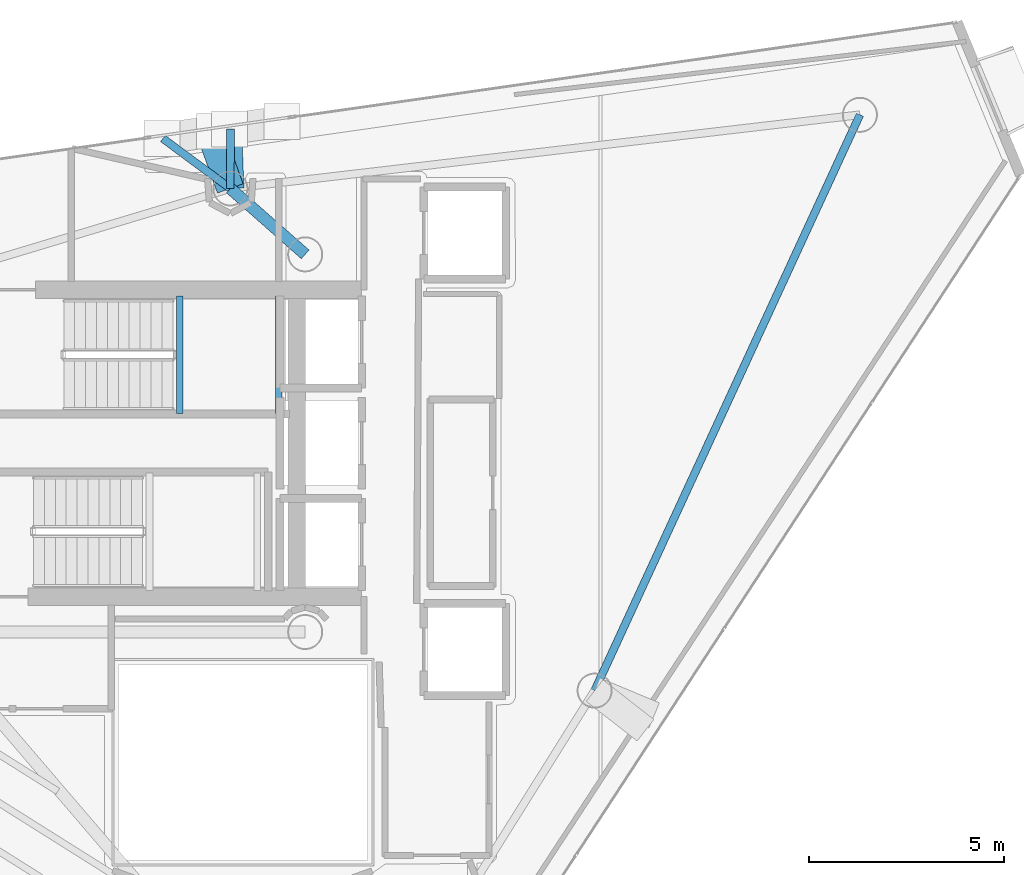
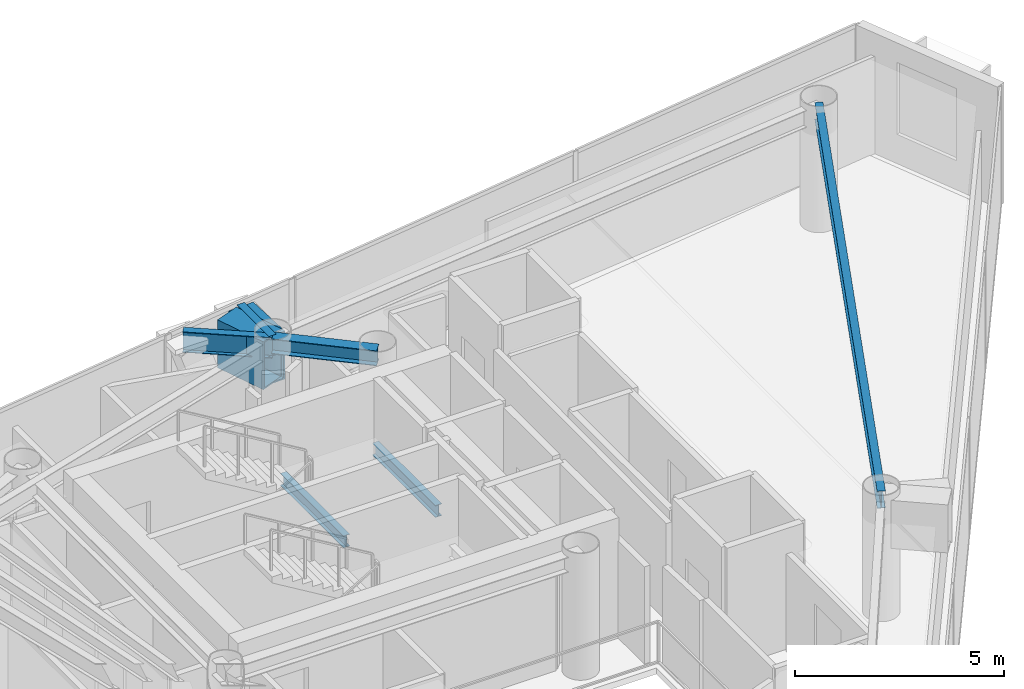
# One storey, part 15 of 25: 8 beams.
"""IFC4 building model written with IfcOpenShell, lengths in metres."""

from ifc_helpers import new_model, si_unit, direction, frame, origin, origin_2d, place, context, subcontext, project, spatial, hollow_rectangle, i_section, extrude, material, material_profile, profile_set, type_object, element, save


model = new_model("IFC4")

# Units and contexts
model_context = context("Model", 3, precision=1e-05, world=origin(), true_north=direction((0.0, 1.0)))
body_context = subcontext(model_context, "Body", "Model", "MODEL_VIEW")
ifc_project = project(units=[si_unit("LENGTHUNIT", "METRE"), si_unit("AREAUNIT", "SQUARE_METRE"), si_unit("VOLUMEUNIT", "CUBIC_METRE"), si_unit("PLANEANGLEUNIT", "RADIAN"), si_unit("MASSUNIT", "GRAM", prefix="KILO")], contexts=[model_context])

# Site, building, storey
site_placement = place(None, origin())
site = spatial("IfcSite", under=ifc_project, at=site_placement, CompositionType="ELEMENT")
building_placement = place(site_placement, origin())
building = spatial("IfcBuilding", under=site, at=building_placement, Name="Qianvela Tower", CompositionType="ELEMENT")
storey_placement = place(building_placement, frame((0.0, 0.0, 295.39990234375)))
storey = spatial("IfcBuildingStorey", under=building, at=storey_placement, Name="L76", CompositionType="ELEMENT", Elevation=295.39990234375)

# Beams
ifc_material_1 = material(Name="Steel Q355B", Category="steel")
ifc_material_profile_1 = material_profile(ifc_material_1, i_section(OverallWidth=0.300048828125, OverallDepth=0.43994140625, WebThickness=0.010986328125, FlangeThickness=0.01806640625, at=origin_2d()), Name="HM440x300x11x18")
ifc_profile_set_1 = profile_set([ifc_material_profile_1], Name="Steel Q355B")
beam_type_1 = type_object("IfcBeamType", Name="BM-HM440-COLL", PredefinedType="BEAM", material=ifc_profile_set_1)
beam_1_placement = place(storey_placement, frame((38.39990234375, 33.550048828125, 3.298095703125), z_axis=(-0.750732416106, 0.660606417928, 0.0), x_axis=(-0.660606417928, -0.750732416106, 0.0)))
element("IfcBeam", 1, at=beam_1_placement, inside=storey, type_object=beam_type_1, Name="L76 Radial Primary Floor Girder 2", PredefinedType="BEAM", context=body_context, shape_type="SweptSolid", body=[
    extrude(i_section(OverallWidth=0.300048828125, OverallDepth=0.43994140625, WebThickness=0.010986328125, FlangeThickness=0.01806640625, at=origin_2d()), origin(), (0.0, 0.0, 1.0), 2.5625),
])
ifc_material_2 = material(Name="Steel Q355B", Category="steel")
ifc_material_profile_2 = material_profile(ifc_material_2, i_section(OverallWidth=0.175048828125, OverallDepth=0.35009765625, WebThickness=0.007080078125, FlangeThickness=0.010986328125, at=origin_2d()), Name="HN350x175x7x11")
ifc_profile_set_2 = profile_set([ifc_material_profile_2], Name="Steel Q355B")
beam_type_2 = type_object("IfcBeamType", Name="BM-HN350-JOIST", PredefinedType="JOIST", material=ifc_profile_set_2)
for number, where, z_axis, x_axis, name in (
    (2, (35.179931640625, 29.4599609375, 1.47509765625), (0.0, 1.0, 0.0), (-1.0, 0.0, 0.0), "L76 Stair ST-1 Landing Support Beam 1.1"),
    (3, (37.719970703125, 29.4599609375, 1.47509765625), (0.0, 1.0, 0.0), (-1.0, 0.0, 0.0), "L76 Stair ST-1 Landing Support Beam 1.2"),
):
    element("IfcBeam", number, at=place(storey_placement, frame(where, z_axis=z_axis, x_axis=x_axis)), inside=storey, type_object=beam_type_2, Name=name, PredefinedType="JOIST", context=body_context, shape_type="SweptSolid", body=[
        extrude(i_section(OverallWidth=0.175048828125, OverallDepth=0.35009765625, WebThickness=0.007080078125, FlangeThickness=0.010986328125, at=origin_2d()), origin(), (0.0, 0.0, 1.0), 3.02001953125),
    ])
ifc_material_3 = material(Name="Steel Q355B", Category="steel")
ifc_material_profile_3 = material_profile(ifc_material_3, i_section(OverallWidth=0.199951171875, OverallDepth=0.5, WebThickness=0.010009765625, FlangeThickness=0.01611328125, at=origin_2d()), Name="HN500x200x10x16")
ifc_profile_set_3 = profile_set([ifc_material_profile_3], Name="Steel Q355B")
beam_type_3 = type_object("IfcBeamType", Name="BM-HN500-GIRD", PredefinedType="BEAM", material=ifc_profile_set_3)
beam_2_placement = place(storey_placement, frame((45.833984375, 22.344970703125, 3.26806640625), z_axis=(0.418440097712, 0.908244396969, 0.0), x_axis=(-0.908244396969, 0.418440097712, 0.0)))
element("IfcBeam", 4, at=beam_2_placement, inside=storey, type_object=beam_type_3, Name="L76 Perimeter Ring Spandrel Girder 6", PredefinedType="BEAM", context=body_context, shape_type="SweptSolid", body=[
    extrude(i_section(OverallWidth=0.199951171875, OverallDepth=0.5, WebThickness=0.010009765625, FlangeThickness=0.01611328125, at=origin_2d()), origin(), (0.0, 0.0, 1.0), 16.2841796875),
])
ifc_material_4 = material(Name="Steel Q355B", Category="steel")
ifc_material_profile_4 = material_profile(ifc_material_4, i_section(OverallWidth=0.199951171875, OverallDepth=0.60009765625, WebThickness=0.010986328125, FlangeThickness=0.01708984375, at=origin_2d()), Name="HN600x200x11x17")
ifc_profile_set_4 = profile_set([ifc_material_profile_4], Name="Steel Q355B")
beam_type_4 = type_object("IfcBeamType", Name="BM-HN600-GIRD", PredefinedType="BEAM", material=ifc_profile_set_4)
beam_3_placement = place(storey_placement, frame((36.47607421875, 35.242919921875, 3.218017578125), z_axis=(0.002392719263, 0.999997137443, 0.0), x_axis=(-0.999997137443, 0.002392719263, 0.0)))
element("IfcBeam", 5, at=beam_3_placement, inside=storey, type_object=beam_type_4, Name="L76 Mega-Brace Column Tie Bracket F1-1", PredefinedType="BEAM", context=body_context, shape_type="SweptSolid", body=[
    extrude(i_section(OverallWidth=0.199951171875, OverallDepth=0.60009765625, WebThickness=0.010986328125, FlangeThickness=0.01708984375, at=origin_2d()), origin(), (0.0, 0.0, 1.0), 1.530517578125),
])
beam_4_placement = place(storey_placement, frame((36.47607421875, 35.242919921875, 3.218017578125), z_axis=(-0.803521064432, 0.595276321563, 0.0), x_axis=(-0.595276321563, -0.803521064432, 0.0)))
element("IfcBeam", 6, at=beam_4_placement, inside=storey, type_object=beam_type_4, Name="L76 Mega-Brace Column Tie Bracket F1-2", PredefinedType="BEAM", context=body_context, shape_type="SweptSolid", body=[
    extrude(i_section(OverallWidth=0.199951171875, OverallDepth=0.60009765625, WebThickness=0.010986328125, FlangeThickness=0.01708984375, at=origin_2d()), origin(), (0.0, 0.0, 1.0), 2.15478515625),
])
ifc_material_5 = material(Name="Steel Q420GJC", Category="steel")
ifc_material_profile_5 = material_profile(ifc_material_5, hollow_rectangle(XDim=0.699951171875, YDim=1.39990234375, WallThickness=0.0400390625, at=origin_2d()), Name="TG-BOX-1400x700x40")
ifc_profile_set_5 = profile_set([ifc_material_profile_5], Name="Steel Q420GJC")
beam_type_5 = type_object("IfcBeamType", Name="BM-TG-STEP-1400", PredefinedType="BEAM", material=ifc_profile_set_5)
for number, where, z_axis, x_axis, name in (
    (7, (36.47607421875, 35.242919921875, 2.815185546875), (-0.037586688591, 0.999293370758, 0.0), (-0.999293370758, -0.037586688591, 0.0), "L76 Mega-Brace Zone Base Bracket F1-1"),
    (8, (36.47607421875, 35.242919921875, 2.815185546875), (-0.339808188736, 0.940494760681, 0.0), (-0.940494760681, -0.339808188736, 0.0), "L76 Mega-Brace Zone Base Bracket F1-2"),
):
    element("IfcBeam", number, at=place(storey_placement, frame(where, z_axis=z_axis, x_axis=x_axis)), inside=storey, type_object=beam_type_5, Name=name, PredefinedType="BEAM", context=body_context, shape_type="SweptSolid", body=[
        extrude(hollow_rectangle(XDim=0.699951171875, YDim=1.39990234375, WallThickness=0.0400390625, at=origin_2d()), origin(), (0.0, 0.0, 1.0), 1.428955078125),
    ])

save(model, "model.ifc")
